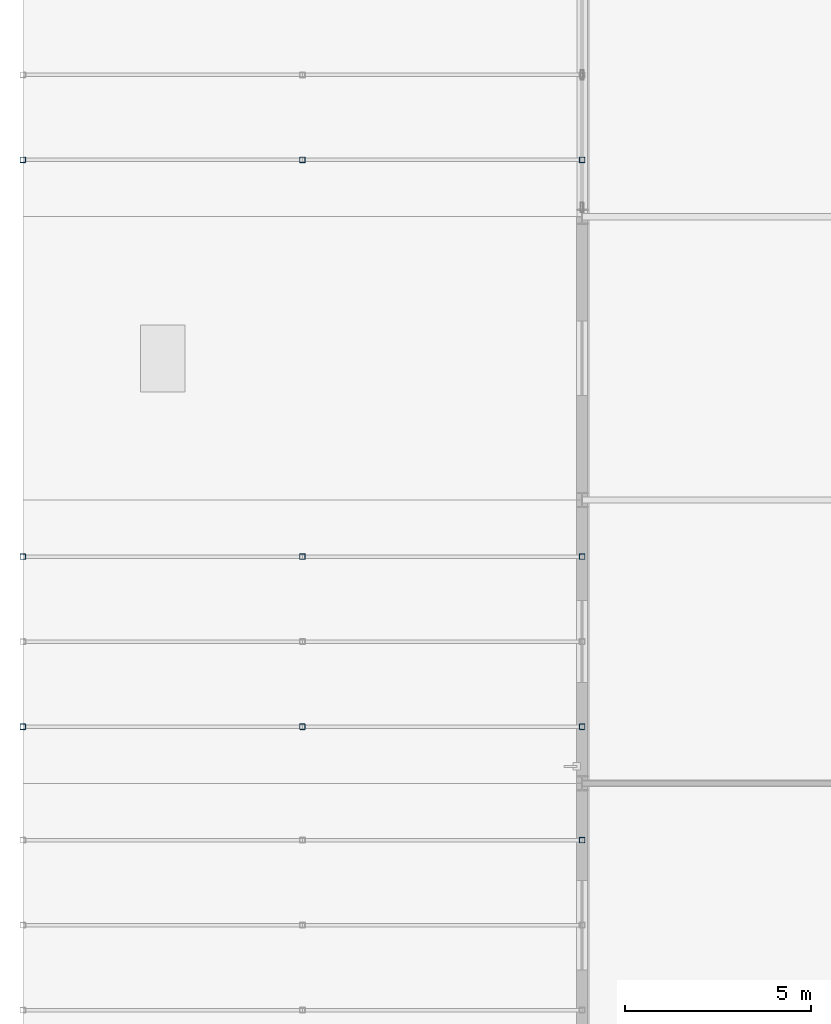
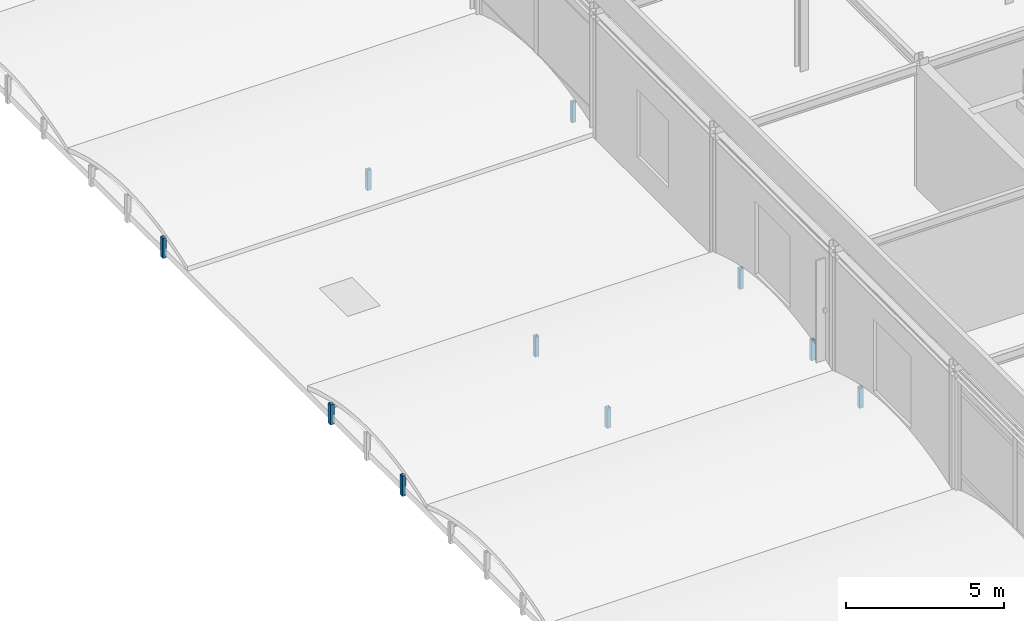
# One storey, part 51 of 79: 10 members.
"""IFC4 building model written with IfcOpenShell, lengths in metres."""

from ifc_helpers import new_model, si_unit, direction, frame, origin, origin_2d, place, context, subcontext, project, spatial, hollow_rectangle, extrude, material, material_profile, profile_set, type_object, element, save


model = new_model("IFC4")

# Units and contexts
model_context = context("Model", 3, precision=1e-05, world=origin(), true_north=direction((0.0, 1.0)))
body_context = subcontext(model_context, "Body", "Model", "MODEL_VIEW")
ifc_project = project(units=[si_unit("LENGTHUNIT", "METRE"), si_unit("AREAUNIT", "SQUARE_METRE"), si_unit("VOLUMEUNIT", "CUBIC_METRE"), si_unit("PLANEANGLEUNIT", "RADIAN"), si_unit("MASSUNIT", "GRAM", prefix="KILO")], contexts=[model_context])

# Site, building, storey
site_placement = place(None, origin())
site = spatial("IfcSite", under=ifc_project, at=site_placement, CompositionType="ELEMENT")
building_placement = place(site_placement, origin())
building = spatial("IfcBuilding", under=site, at=building_placement, Name="Shalkamar Park Central Library", CompositionType="ELEMENT")
storey_placement = place(building_placement, frame((0.0, 0.0, 10.5)))
storey = spatial("IfcBuildingStorey", under=building, at=storey_placement, Name="L03", CompositionType="ELEMENT", Elevation=10.5)

# Members
ifc_material = material(Name="Steel S355", Category="steel")
ifc_material_profile = material_profile(ifc_material, hollow_rectangle(XDim=0.14990234375, YDim=0.14990234375, WallThickness=0.008056640625, InnerFilletRadius=0.008056640625, OuterFilletRadius=0.011962890625, at=origin_2d()), Name="SHS 150x150x8")
ifc_profile_set = profile_set([ifc_material_profile], Name="Steel S355")
member_type = type_object("IfcMemberType", Name="Diagonal Brace SHS150", PredefinedType="BRACE", material=ifc_profile_set)
for number, where, z_axis, x_axis, name in (
    (1, (150.0, 299.280029296875, -0.360107421875), (0.0, 0.0, 1.0), (1.0, 0.0, 0.0), "Vault Arch Post BV-L02-W6-05.3"),
    (2, (135.0, 302.320068359375, -0.360107421875), (0.0, 0.0, 1.0), (1.0, 0.0, 0.0), "Vault Arch Post BV-L02-W7-03.1"),
    (3, (135.0, 306.8798828125, -0.360107421875), (0.0, 0.0, 1.0), (1.0, 0.0, 0.0), "Vault Arch Post BV-L02-W7-03.3"),
    (4, (142.5, 302.320068359375, -0.360107421875), (0.0, 0.0, 1.0), (1.0, 0.0, 0.0), "Vault Arch Post BV-L02-W7-04.1"),
    (5, (142.5, 306.8798828125, -0.360107421875), (0.0, 0.0, 1.0), (1.0, 0.0, 0.0), "Vault Arch Post BV-L02-W7-04.3"),
    (6, (150.0, 302.320068359375, -0.360107421875), (0.0, 0.0, 1.0), (1.0, 0.0, 0.0), "Vault Arch Post BV-L02-W7-05.1"),
    (7, (150.0, 306.8798828125, -0.360107421875), (0.0, 0.0, 1.0), (1.0, 0.0, 0.0), "Vault Arch Post BV-L02-W7-05.3"),
    (8, (135.0, 317.52001953125, -0.360107421875), (0.0, 0.0, 1.0), (1.0, 0.0, 0.0), "Vault Arch Post BV-L02-W8-03.1"),
    (9, (142.5, 317.52001953125, -0.360107421875), (0.0, 0.0, 1.0), (1.0, 0.0, 0.0), "Vault Arch Post BV-L02-W8-04.1"),
    (10, (150.0, 317.52001953125, -0.360107421875), (0.0, 0.0, 1.0), (1.0, 0.0, 0.0), "Vault Arch Post BV-L02-W8-05.1"),
):
    element("IfcMember", number, at=place(storey_placement, frame(where, z_axis=z_axis, x_axis=x_axis)), inside=storey, type_object=member_type, Name=name, PredefinedType="BRACE", context=body_context, shape_type="SweptSolid", body=[
        extrude(hollow_rectangle(XDim=0.14990234375, YDim=0.14990234375, WallThickness=0.008056640625, InnerFilletRadius=0.008056640625, OuterFilletRadius=0.011962890625, at=origin_2d()), origin(), (0.0, 0.0, 1.0), 0.781005859375),
    ])

save(model, "model.ifc")
